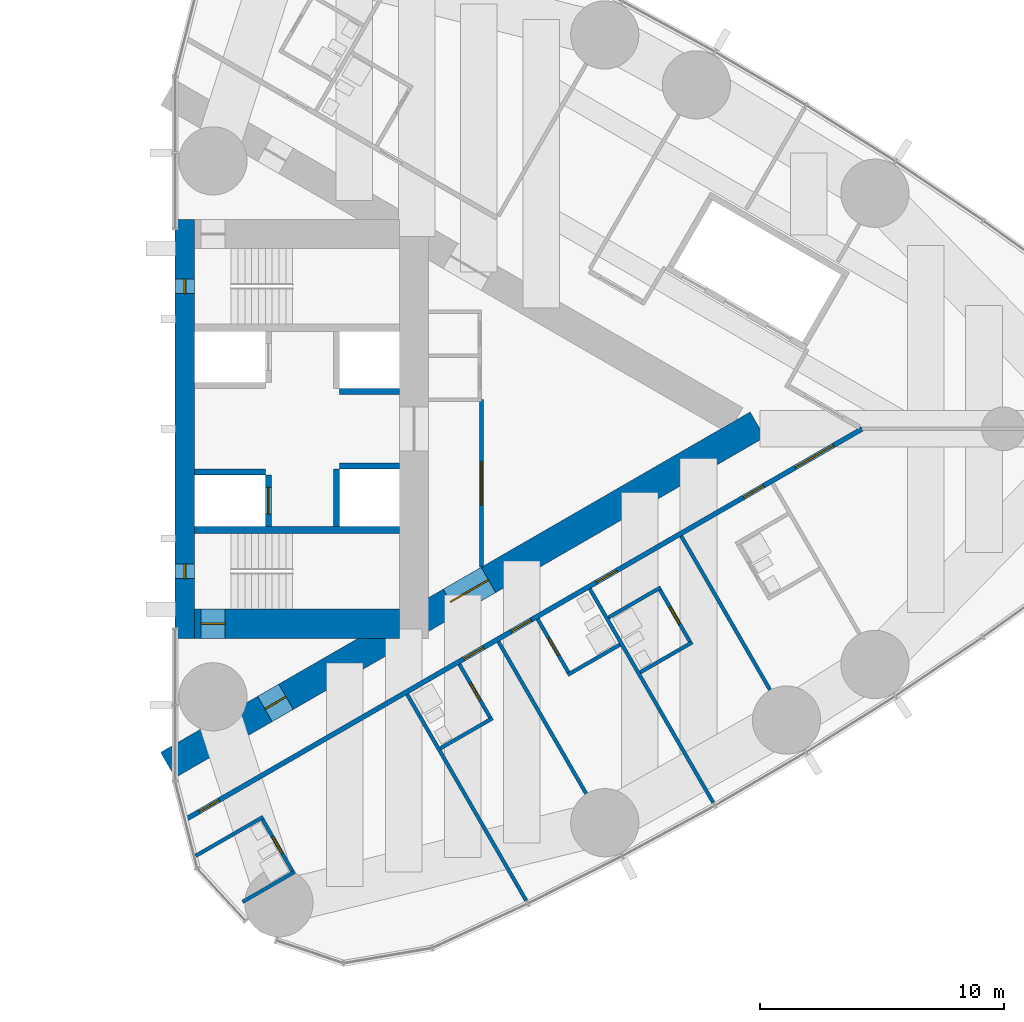
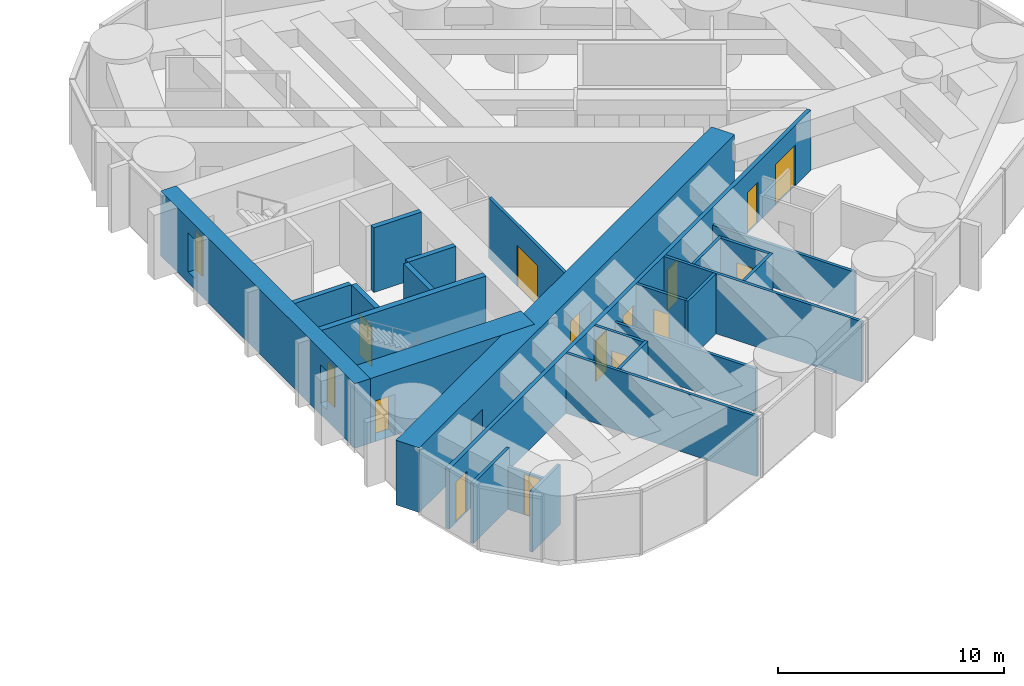
# One storey, part 14 of 19: 25 walls, 15 doors, 2 windows, 17 openings.
"""IFC4 building model written with IfcOpenShell, lengths in metres."""

from ifc_helpers import new_model, si_unit, direction, frame, frame_2d, origin, place, context, subcontext, project, spatial, rectangle, extrude, material, layer, layer_set, type_object, element, fill, save


model = new_model("IFC4")

# Units and contexts
model_context = context("Model", 3, precision=1e-05, world=origin(), true_north=direction((0.0, 1.0)))
body_context = subcontext(model_context, "Body", "Model", "MODEL_VIEW")
ifc_project = project(units=[si_unit("LENGTHUNIT", "METRE"), si_unit("AREAUNIT", "SQUARE_METRE"), si_unit("VOLUMEUNIT", "CUBIC_METRE"), si_unit("PLANEANGLEUNIT", "RADIAN"), si_unit("MASSUNIT", "GRAM", prefix="KILO")], contexts=[model_context])

# Site, building, storey
site_placement = place(None, origin())
site = spatial("IfcSite", under=ifc_project, at=site_placement, CompositionType="ELEMENT")
building_placement = place(site_placement, origin())
building = spatial("IfcBuilding", under=site, at=building_placement, Name="Lancet Gate Hotel", CompositionType="ELEMENT")
storey_placement = place(building_placement, frame((0.0, 0.0, 191.300048828125)))
storey = spatial("IfcBuildingStorey", under=building, at=storey_placement, Name="L51", CompositionType="ELEMENT", Elevation=191.300048828125)

# Wall
ifc_material_1 = material(Name="Moisture resistant board partition")
ifc_layer_1 = layer(ifc_material_1, 0.14990234375)
ifc_layer_set_1 = layer_set([ifc_layer_1], Name="Bathroom wall 150")
wall_type_1 = type_object("IfcWallType", Name="Bathroom wall 150", PredefinedType="PARTITIONING", material=ifc_layer_set_1)
wall_1_placement = place(storey_placement, frame((30.269287109375, -19.41796875, 0.0), z_axis=(0.0, 0.0, 1.0), x_axis=(0.866006523861, 0.500032699561, 0.0)))
element("IfcWall", 1, at=wall_1_placement, inside=storey, type_object=wall_type_1, Name="T2 bathroom wall 150 L51", PredefinedType="PARTITIONING", context=body_context, shape_type="SweptSolid", body=[
    extrude(rectangle(XDim=2.474853515625, YDim=0.14990234375, at=frame_2d((1.2373046875, 0.0))), origin(), (0.0, 0.0, 1.0), 3.25),
])

# Wall, opening, door
wall_2_placement = place(storey_placement, frame((31.0478515625, -15.96630859375, 0.0), z_axis=(0.0, 0.0, 1.0), x_axis=(0.499936506574, -0.866062058628, 0.0)))
wall_2 = element("IfcWall", 2, at=wall_2_placement, inside=storey, type_object=wall_type_1, Name="T2 bathroom wall 150 L51", PredefinedType="PARTITIONING", context=body_context, shape_type="SweptSolid", body=[
    extrude(rectangle(XDim=2.599853515625, YDim=0.14990234375, at=frame_2d((1.2998046875, 0.0))), origin(), (0.0, 0.0, 1.0), 2.300048828125),
])
opening_1_placement = place(wall_2_placement, frame((0.89990234375, 0.0, 0.0)))
opening_1 = element("IfcOpeningElement", 3, at=opening_1_placement, cuts=wall_2, Name="Opening 5151-B", PredefinedType="OPENING", context=body_context, shape_type="SweptSolid", body=[
    extrude(rectangle(XDim=0.800048828125, YDim=2.199951171875, at=frame_2d((0.39990234375, 1.10009765625))), frame((0.0, 0.0849609375, 0.0), z_axis=(0.0, -1.0, 0.0), x_axis=(1.0, 0.0, 0.0)), (0.0, 0.0, 1.0), 0.169921875),
])
ifc_material_2 = material(Name="Timber door set", Category="wood")
door_type_1 = type_object("IfcDoorType", Name="Bathroom door 800", OperationType="SINGLE_SWING_RIGHT", PredefinedType="DOOR", material=ifc_material_2)
door_1_placement = place(opening_1_placement, origin())
door_1 = element("IfcDoor", 4, at=door_1_placement, inside=storey, type_object=door_type_1, Name="5151-B", OperationType="SINGLE_SWING_RIGHT", OverallHeight=2.199951171875, OverallWidth=0.800048828125, PredefinedType="DOOR", context=body_context, shape_type="SweptSolid", body=[
    extrude(rectangle(XDim=0.800048828125, YDim=2.199951171875, at=frame_2d((0.39990234375, 1.10009765625))), frame((0.0, 0.02490234375, 0.0), z_axis=(0.0, -1.0, 0.0), x_axis=(1.0, 0.0, 0.0)), (0.0, 0.0, 1.0), 0.050048828125),
])
fill(opening_1, door_1)

# Walls
wall_3_placement = place(storey_placement, frame((28.34326171875, -17.52783203125, 0.0), z_axis=(0.0, 0.0, 1.0), x_axis=(0.86600760081, 0.500030834389, 0.0)))
element("IfcWall", 5, at=wall_3_placement, inside=storey, type_object=wall_type_1, Name="T2 bathroom wall 150 L51", PredefinedType="PARTITIONING", context=body_context, shape_type="SweptSolid", body=[
    extrude(rectangle(XDim=3.197998046875, YDim=0.14990234375, at=frame_2d((1.59912109375, 0.0))), origin(), (0.0, 0.0, 1.0), 3.25),
])
wall_4_placement = place(storey_placement, frame((38.386962890625, -13.114501953125, 0.0), z_axis=(0.0, 0.0, 1.0), x_axis=(0.866073894602, 0.499916002032, 0.0)))
element("IfcWall", 6, at=wall_4_placement, inside=storey, type_object=wall_type_1, Name="T2 bathroom wall 150 L51", PredefinedType="PARTITIONING", context=body_context, shape_type="SweptSolid", body=[
    extrude(rectangle(XDim=2.47509765625, YDim=0.14990234375, at=frame_2d((1.237548828125, 0.0))), origin(), (0.0, 0.0, 1.0), 3.25),
])

# Wall, opening, door
wall_5_placement = place(storey_placement, frame((39.16552734375, -9.662841796875, 0.0), z_axis=(0.0, 0.0, 1.0), x_axis=(0.500006934395, -0.866021400173, 0.0)))
wall_5 = element("IfcWall", 7, at=wall_5_placement, inside=storey, type_object=wall_type_1, Name="T2 bathroom wall 150 L51", PredefinedType="PARTITIONING", context=body_context, shape_type="SweptSolid", body=[
    extrude(rectangle(XDim=2.60009765625, YDim=0.14990234375, at=frame_2d((1.300048828125, 0.0))), origin(), (0.0, 0.0, 1.0), 3.25),
])
opening_2_placement = place(wall_5_placement, frame((0.89990234375, 0.0, 0.0)))
opening_2 = element("IfcOpeningElement", 8, at=opening_2_placement, cuts=wall_5, Name="Opening 5153-B", PredefinedType="OPENING", context=body_context, shape_type="SweptSolid", body=[
    extrude(rectangle(XDim=0.800048828125, YDim=2.199951171875, at=frame_2d((0.39990234375, 1.10009765625))), frame((0.0, 0.0849609375, 0.0), z_axis=(0.0, -1.0, 0.0), x_axis=(1.0, 0.0, 0.0)), (0.0, 0.0, 1.0), 0.169921875),
])
door_2_placement = place(opening_2_placement, origin())
door_2 = element("IfcDoor", 9, at=door_2_placement, inside=storey, type_object=door_type_1, Name="5153-B", OperationType="SINGLE_SWING_RIGHT", OverallHeight=2.199951171875, OverallWidth=0.800048828125, PredefinedType="DOOR", context=body_context, shape_type="SweptSolid", body=[
    extrude(rectangle(XDim=0.800048828125, YDim=2.199951171875, at=frame_2d((0.39990234375, 1.10009765625))), frame((0.0, 0.02490234375, 0.0), z_axis=(0.0, -1.0, 0.0), x_axis=(1.0, 0.0, 0.0)), (0.0, 0.0, 1.0), 0.050048828125),
])
fill(opening_2, door_2)

# Wall
wall_6_placement = place(storey_placement, frame((43.613037109375, -10.097412109375, 0.0), z_axis=(0.0, 0.0, 1.0), x_axis=(0.866031185235, 0.4999899861, 0.0)))
element("IfcWall", 10, at=wall_6_placement, inside=storey, type_object=wall_type_1, Name="T2 bathroom wall 150 L51", PredefinedType="PARTITIONING", context=body_context, shape_type="SweptSolid", body=[
    extrude(rectangle(XDim=2.47509765625, YDim=0.14990234375, at=frame_2d((1.237548828125, 0.0))), origin(), (0.0, 0.0, 1.0), 3.25),
])

# Wall, opening, door
wall_7_placement = place(storey_placement, frame((42.3779296875, -7.80810546875, 0.0), z_axis=(0.0, 0.0, 1.0), x_axis=(0.500006934395, -0.866021400173, 0.0)))
wall_7 = element("IfcWall", 11, at=wall_7_placement, inside=storey, type_object=wall_type_1, Name="T2 bathroom wall 150 L51", PredefinedType="PARTITIONING", context=body_context, shape_type="SweptSolid", body=[
    extrude(rectangle(XDim=2.60009765625, YDim=0.14990234375, at=frame_2d((1.300048828125, 0.0))), origin(), (0.0, 0.0, 1.0), 3.25),
])
opening_3_placement = place(wall_7_placement, frame((0.89990234375, 0.0, 0.0)))
opening_3 = element("IfcOpeningElement", 12, at=opening_3_placement, cuts=wall_7, Name="Opening 5154-B", PredefinedType="OPENING", context=body_context, shape_type="SweptSolid", body=[
    extrude(rectangle(XDim=0.800048828125, YDim=2.199951171875, at=frame_2d((0.39990234375, 1.10009765625))), frame((0.0, 0.0849609375, 0.0), z_axis=(0.0, -1.0, 0.0), x_axis=(1.0, 0.0, 0.0)), (0.0, 0.0, 1.0), 0.169921875),
])
door_3_placement = place(opening_3_placement, origin())
door_3 = element("IfcDoor", 13, at=door_3_placement, inside=storey, type_object=door_type_1, Name="5154-B", OperationType="SINGLE_SWING_RIGHT", OverallHeight=2.199951171875, OverallWidth=0.800048828125, PredefinedType="DOOR", context=body_context, shape_type="SweptSolid", body=[
    extrude(rectangle(XDim=0.800048828125, YDim=2.199951171875, at=frame_2d((0.39990234375, 1.10009765625))), frame((0.0, 0.02490234375, 0.0), z_axis=(0.0, -1.0, 0.0), x_axis=(1.0, 0.0, 0.0)), (0.0, 0.0, 1.0), 0.050048828125),
])
fill(opening_3, door_3)

# Wall
wall_8_placement = place(storey_placement, frame((46.58642578125, -9.997314453125, 0.0), z_axis=(0.0, 0.0, 1.0), x_axis=(0.866006523861, 0.500032699561, 0.0)))
element("IfcWall", 14, at=wall_8_placement, inside=storey, type_object=wall_type_1, Name="T2 bathroom wall 150 L51", PredefinedType="PARTITIONING", context=body_context, shape_type="SweptSolid", body=[
    extrude(rectangle(XDim=2.474853515625, YDim=0.14990234375, at=frame_2d((1.2373046875, 0.0))), origin(), (0.0, 0.0, 1.0), 3.25),
])

# Wall, opening, door
wall_9_placement = place(storey_placement, frame((47.36474609375, -6.545654296875, 0.0), z_axis=(0.0, 0.0, 1.0), x_axis=(0.500006934395, -0.866021400173, 0.0)))
wall_9 = element("IfcWall", 15, at=wall_9_placement, inside=storey, type_object=wall_type_1, Name="T2 bathroom wall 150 L51", PredefinedType="PARTITIONING", context=body_context, shape_type="SweptSolid", body=[
    extrude(rectangle(XDim=2.60009765625, YDim=0.14990234375, at=frame_2d((1.300048828125, 0.0))), origin(), (0.0, 0.0, 1.0), 3.25),
])
opening_4_placement = place(wall_9_placement, frame((0.89990234375, 0.0, 0.0)))
opening_4 = element("IfcOpeningElement", 16, at=opening_4_placement, cuts=wall_9, Name="Opening 5155-B", PredefinedType="OPENING", context=body_context, shape_type="SweptSolid", body=[
    extrude(rectangle(XDim=0.800048828125, YDim=2.199951171875, at=frame_2d((0.39990234375, 1.10009765625))), frame((0.0, 0.0849609375, 0.0), z_axis=(0.0, -1.0, 0.0), x_axis=(1.0, 0.0, 0.0)), (0.0, 0.0, 1.0), 0.169921875),
])
door_4_placement = place(opening_4_placement, origin())
door_4 = element("IfcDoor", 17, at=door_4_placement, inside=storey, type_object=door_type_1, Name="5155-B", OperationType="SINGLE_SWING_RIGHT", OverallHeight=2.199951171875, OverallWidth=0.800048828125, PredefinedType="DOOR", context=body_context, shape_type="SweptSolid", body=[
    extrude(rectangle(XDim=0.800048828125, YDim=2.199951171875, at=frame_2d((0.39990234375, 1.10009765625))), frame((0.0, 0.02490234375, 0.0), z_axis=(0.0, -1.0, 0.0), x_axis=(1.0, 0.0, 0.0)), (0.0, 0.0, 1.0), 0.050048828125),
])
fill(opening_4, door_4)

# Wall
wall_10_placement = place(storey_placement, frame((45.286376953125, -7.74560546875, 0.0), z_axis=(0.0, 0.0, 1.0), x_axis=(0.866006523861, 0.500032699561, 0.0)))
element("IfcWall", 18, at=wall_10_placement, inside=storey, type_object=wall_type_1, Name="T2 bathroom wall 150 L51", PredefinedType="PARTITIONING", context=body_context, shape_type="SweptSolid", body=[
    extrude(rectangle(XDim=2.474853515625, YDim=0.14990234375, at=frame_2d((1.2373046875, 0.0))), origin(), (0.0, 0.0, 1.0), 3.25),
])

# Wall, openings, doors
ifc_material_3 = material(Name="Concrete C70/85", Category="concrete")
ifc_layer_2 = layer(ifc_material_3, 1.199951171875)
ifc_layer_set_2 = layer_set([ifc_layer_2], Name="Buttress wall 1200")
wall_type_2 = type_object("IfcWallType", Name="Buttress wall 1200", PredefinedType="SHEAR", material=ifc_layer_set_2)
wall_11_placement = place(storey_placement, frame((27.199951171875, -13.800048828125, 0.0), z_axis=(0.0, 0.0, 1.0), x_axis=(0.866027159892, 0.499996958321, 0.0)))
wall_11 = element("IfcWall", 19, at=wall_11_placement, inside=storey, type_object=wall_type_2, Name="T2 buttress wall S L51", PredefinedType="SHEAR", context=body_context, shape_type="SweptSolid", body=[
    extrude(rectangle(XDim=27.946533203125, YDim=1.199951171875, at=frame_2d((13.97314453125, 0.0))), origin(), (0.0, 0.0, 1.0), 3.5),
])
opening_5_placement = place(wall_11_placement, frame((4.60009765625, 0.0, 0.0)))
opening_5 = element("IfcOpeningElement", 20, at=opening_5_placement, cuts=wall_11, Name="Opening T2-L51-LS", PredefinedType="OPENING", context=body_context, shape_type="SweptSolid", body=[
    extrude(rectangle(XDim=1.0, YDim=2.199951171875, at=frame_2d((0.5, 1.10009765625))), frame((0.0, 0.60986328125, 0.0), z_axis=(0.0, -1.0, 0.0), x_axis=(1.0, 0.0, 0.0)), (0.0, 0.0, 1.0), 1.219970703125),
])
opening_6_placement = place(wall_11_placement, frame((13.39453125, 0.0, 0.0)))
opening_6 = element("IfcOpeningElement", 21, at=opening_6_placement, cuts=wall_11, Name="Opening T2-L51-LHS", PredefinedType="OPENING", context=body_context, shape_type="SweptSolid", body=[
    extrude(rectangle(XDim=1.800048828125, YDim=2.199951171875, at=frame_2d((0.89990234375, 1.10009765625))), frame((0.0, 0.60986328125, 0.0), z_axis=(0.0, -1.0, 0.0), x_axis=(1.0, 0.0, 0.0)), (0.0, 0.0, 1.0), 1.219970703125),
])
ifc_material_4 = material(Name="Timber door set", Category="wood")
door_type_2 = type_object("IfcDoorType", Name="Lobby double door 1800", OperationType="DOUBLE_DOOR_SINGLE_SWING", PredefinedType="DOOR", material=ifc_material_4)
door_5_placement = place(opening_6_placement, origin())
door_5 = element("IfcDoor", 22, at=door_5_placement, inside=storey, type_object=door_type_2, Name="T2-L51-LHS", OperationType="DOUBLE_DOOR_SINGLE_SWING", OverallHeight=2.199951171875, OverallWidth=1.800048828125, PredefinedType="DOOR", context=body_context, shape_type="SweptSolid", body=[
    extrude(rectangle(XDim=1.800048828125, YDim=2.199951171875, at=frame_2d((0.89990234375, 1.10009765625))), frame((0.0, 0.02490234375, 0.0), z_axis=(0.0, -1.0, 0.0), x_axis=(1.0, 0.0, 0.0)), (0.0, 0.0, 1.0), 0.050048828125),
])
fill(opening_6, door_5)
ifc_material_5 = material(Name="Timber door set", Category="wood")
door_type_3 = type_object("IfcDoorType", Name="Stair lobby door 1000", OperationType="SINGLE_SWING_LEFT", PredefinedType="DOOR", material=ifc_material_5)
door_6_placement = place(opening_5_placement, origin())
door_6 = element("IfcDoor", 23, at=door_6_placement, inside=storey, type_object=door_type_3, Name="T2-L51-LS", OperationType="SINGLE_SWING_LEFT", OverallHeight=2.199951171875, OverallWidth=1.0, PredefinedType="DOOR", context=body_context, shape_type="SweptSolid", body=[
    extrude(rectangle(XDim=1.0, YDim=2.199951171875, at=frame_2d((0.5, 1.10009765625))), frame((0.0, 0.02490234375, 0.0), z_axis=(0.0, -1.0, 0.0), x_axis=(1.0, 0.0, 0.0)), (0.0, 0.0, 1.0), 0.050048828125),
])
fill(opening_5, door_6)

# Wall, opening, door
ifc_material_6 = material(Name="Concrete C70/85", Category="concrete")
ifc_layer_3 = layer(ifc_material_6, 1.199951171875)
ifc_layer_set_3 = layer_set([ifc_layer_3], Name="Core wall 1200")
wall_type_3 = type_object("IfcWallType", Name="Core wall 1200", PredefinedType="SHEAR", material=ifc_layer_set_3)
wall_12_placement = place(storey_placement, frame((28.300048828125, -8.0, 0.0), z_axis=(0.0, 0.0, 1.0), x_axis=(1.0, 0.0, 0.0)))
wall_12 = element("IfcWall", 24, at=wall_12_placement, inside=storey, type_object=wall_type_3, Name="T2 core wall side-S L51", PredefinedType="SHEAR", context=body_context, shape_type="SweptSolid", body=[
    extrude(rectangle(XDim=8.39990234375, YDim=1.199951171875, at=frame_2d((4.199951171875, 0.0))), origin(), (0.0, 0.0, 1.0), 3.5),
])
opening_7_placement = place(wall_12_placement, frame((0.25, 0.0, 0.0)))
opening_7 = element("IfcOpeningElement", 25, at=opening_7_placement, cuts=wall_12, Name="Opening T2-L51-ST1", PredefinedType="OPENING", context=body_context, shape_type="SweptSolid", body=[
    extrude(rectangle(XDim=1.0, YDim=2.199951171875, at=frame_2d((0.5, 1.10009765625))), frame((0.0, 0.60986328125, 0.0), z_axis=(0.0, -1.0, 0.0), x_axis=(1.0, 0.0, 0.0)), (0.0, 0.0, 1.0), 1.219970703125),
])
ifc_material_7 = material(Name="Timber door set", Category="wood")
door_type_4 = type_object("IfcDoorType", Name="Stair door 1000", OperationType="SINGLE_SWING_RIGHT", PredefinedType="DOOR", material=ifc_material_7)
door_7_placement = place(opening_7_placement, origin())
door_7 = element("IfcDoor", 26, at=door_7_placement, inside=storey, type_object=door_type_4, Name="T2-L51-ST1", OperationType="SINGLE_SWING_RIGHT", OverallHeight=2.199951171875, OverallWidth=1.0, PredefinedType="DOOR", context=body_context, shape_type="SweptSolid", body=[
    extrude(rectangle(XDim=1.0, YDim=2.199951171875, at=frame_2d((0.5, 1.10009765625))), frame((0.0, 0.02490234375, 0.0), z_axis=(0.0, -1.0, 0.0), x_axis=(1.0, 0.0, 0.0)), (0.0, 0.0, 1.0), 0.050048828125),
])
fill(opening_7, door_7)

# Wall, openings, windows
ifc_material_8 = material(Name="Concrete C70/85", Category="concrete")
ifc_layer_4 = layer(ifc_material_8, 0.800048828125)
ifc_layer_set_4 = layer_set([ifc_layer_4], Name="Core wall 800")
wall_type_4 = type_object("IfcWallType", Name="Core wall 800", PredefinedType="SHEAR", material=ifc_layer_set_4)
wall_13_placement = place(storey_placement, frame((27.89990234375, -8.60009765625, 0.0), z_axis=(0.0, 0.0, 1.0), x_axis=(0.0, 1.0, 0.0)))
wall_13 = element("IfcWall", 27, at=wall_13_placement, inside=storey, type_object=wall_type_4, Name="T2 core wall front L51", PredefinedType="SHEAR", context=body_context, shape_type="SweptSolid", body=[
    extrude(rectangle(XDim=17.2001953125, YDim=0.800048828125, at=frame_2d((8.60009765625, 0.0))), origin(), (0.0, 0.0, 1.0), 3.5),
])
opening_8_placement = place(wall_13_placement, frame((2.449951171875, 0.0, 0.60009765625)))
opening_8 = element("IfcOpeningElement", 28, at=opening_8_placement, cuts=wall_13, Name="Opening LW1", PredefinedType="OPENING", context=body_context, shape_type="SweptSolid", body=[
    extrude(rectangle(XDim=0.60009765625, YDim=2.10009765625, at=frame_2d((0.300048828125, 1.050048828125))), frame((0.0, 0.409912109375, 0.0), z_axis=(0.0, -1.0, 0.0), x_axis=(1.0, 0.0, 0.0)), (0.0, 0.0, 1.0), 0.820068359375),
])
opening_9_placement = place(wall_13_placement, frame((14.14990234375, 0.0, 0.60009765625)))
opening_9 = element("IfcOpeningElement", 29, at=opening_9_placement, cuts=wall_13, Name="Opening LW1", PredefinedType="OPENING", context=body_context, shape_type="SweptSolid", body=[
    extrude(rectangle(XDim=0.60009765625, YDim=2.10009765625, at=frame_2d((0.300048828125, 1.050048828125))), frame((0.0, 0.409912109375, 0.0), z_axis=(0.0, -1.0, 0.0), x_axis=(1.0, 0.0, 0.0)), (0.0, 0.0, 1.0), 0.820068359375),
])
ifc_material_9 = material(Name="Fire-resisting glazed steel window", Category="steel")
window_type = type_object("IfcWindowType", Name="Lancet window 600x2100", PartitioningType="SINGLE_PANEL", PredefinedType="WINDOW", material=ifc_material_9)
window_1_placement = place(opening_8_placement, origin())
window_1 = element("IfcWindow", 30, at=window_1_placement, inside=storey, type_object=window_type, Name="T2 stair window S L51", OverallHeight=2.10009765625, OverallWidth=0.60009765625, PartitioningType="SINGLE_PANEL", PredefinedType="WINDOW", context=body_context, shape_type="SweptSolid", body=[
    extrude(rectangle(XDim=0.60009765625, YDim=2.10009765625, at=frame_2d((0.300048828125, 1.050048828125))), frame((0.0, 0.030029296875, 0.0), z_axis=(0.0, -1.0, 0.0), x_axis=(1.0, 0.0, 0.0)), (0.0, 0.0, 1.0), 0.06005859375),
])
fill(opening_8, window_1)
window_2_placement = place(opening_9_placement, origin())
window_2 = element("IfcWindow", 31, at=window_2_placement, inside=storey, type_object=window_type, Name="T2 stair window N L51", OverallHeight=2.10009765625, OverallWidth=0.60009765625, PartitioningType="SINGLE_PANEL", PredefinedType="WINDOW", context=body_context, shape_type="SweptSolid", body=[
    extrude(rectangle(XDim=0.60009765625, YDim=2.10009765625, at=frame_2d((0.300048828125, 1.050048828125))), frame((0.0, 0.030029296875, 0.0), z_axis=(0.0, -1.0, 0.0), x_axis=(1.0, 0.0, 0.0)), (0.0, 0.0, 1.0), 0.06005859375),
])
fill(opening_9, window_2)

# Wall, openings, doors
ifc_material_10 = material(Name="Gypsum board partition")
ifc_layer_5 = layer(ifc_material_10, 0.199951171875)
ifc_layer_set_5 = layer_set([ifc_layer_5], Name="Corridor wall 200")
wall_type_5 = type_object("IfcWallType", Name="Corridor wall 200", PredefinedType="PARTITIONING", material=ifc_layer_set_5)
wall_14_placement = place(storey_placement, frame((27.95947265625, -16.017333984375, 0.0), z_axis=(0.0, 0.0, 1.0), x_axis=(0.866024151371, 0.500002169237, 0.0)))
wall_14 = element("IfcWall", 32, at=wall_14_placement, inside=storey, type_object=wall_type_5, Name="T2 corridor wall 200 L51", PredefinedType="PARTITIONING", context=body_context, shape_type="SweptSolid", body=[
    extrude(rectangle(XDim=32.034423828125, YDim=0.199951171875, at=frame_2d((16.01708984375, 0.0))), origin(), (0.0, 0.0, 1.0), 3.25),
])
opening_10_placement = place(wall_14_placement, frame((0.60009765625, 0.0, 0.0)))
opening_10 = element("IfcOpeningElement", 33, at=opening_10_placement, cuts=wall_14, Name="Opening 5151-E", PredefinedType="OPENING", context=body_context, shape_type="SweptSolid", body=[
    extrude(rectangle(XDim=0.949951171875, YDim=2.199951171875, at=frame_2d((0.47509765625, 1.10009765625))), frame((0.0, 0.10986328125, 0.0), z_axis=(0.0, -1.0, 0.0), x_axis=(1.0, 0.0, 0.0)), (0.0, 0.0, 1.0), 0.219970703125),
])
opening_11_placement = place(wall_14_placement, frame((13.1318359375, 0.0, 0.0)))
opening_11 = element("IfcOpeningElement", 34, at=opening_11_placement, cuts=wall_14, Name="Opening 5153-E", PredefinedType="OPENING", context=body_context, shape_type="SweptSolid", body=[
    extrude(rectangle(XDim=0.949951171875, YDim=2.199951171875, at=frame_2d((0.47509765625, 1.10009765625))), frame((0.0, 0.10986328125, 0.0), z_axis=(0.0, -1.0, 0.0), x_axis=(1.0, 0.0, 0.0)), (0.0, 0.0, 1.0), 0.219970703125),
])
opening_12_placement = place(wall_14_placement, frame((15.391357421875, 0.0, 0.0)))
opening_12 = element("IfcOpeningElement", 35, at=opening_12_placement, cuts=wall_14, Name="Opening 5154-E", PredefinedType="OPENING", context=body_context, shape_type="SweptSolid", body=[
    extrude(rectangle(XDim=0.949951171875, YDim=2.199951171875, at=frame_2d((0.47509765625, 1.10009765625))), frame((0.0, 0.10986328125, 0.0), z_axis=(0.0, -1.0, 0.0), x_axis=(1.0, 0.0, 0.0)), (0.0, 0.0, 1.0), 0.219970703125),
])
opening_13_placement = place(wall_14_placement, frame((19.44140625, 0.0, 0.0)))
opening_13 = element("IfcOpeningElement", 36, at=opening_13_placement, cuts=wall_14, Name="Opening 5155-E", PredefinedType="OPENING", context=body_context, shape_type="SweptSolid", body=[
    extrude(rectangle(XDim=0.949951171875, YDim=2.199951171875, at=frame_2d((0.47509765625, 1.10009765625))), frame((0.0, 0.10986328125, 0.0), z_axis=(0.0, -1.0, 0.0), x_axis=(1.0, 0.0, 0.0)), (0.0, 0.0, 1.0), 0.219970703125),
])
opening_14_placement = place(wall_14_placement, frame((26.406005859375, 0.0, 0.0)))
opening_14 = element("IfcOpeningElement", 37, at=opening_14_placement, cuts=wall_14, Name="Opening 5156-E", PredefinedType="OPENING", context=body_context, shape_type="SweptSolid", body=[
    extrude(rectangle(XDim=0.949951171875, YDim=2.199951171875, at=frame_2d((0.47509765625, 1.10009765625))), frame((0.0, 0.10986328125, 0.0), z_axis=(0.0, -1.0, 0.0), x_axis=(1.0, 0.0, 0.0)), (0.0, 0.0, 1.0), 0.219970703125),
])
opening_15_placement = place(wall_14_placement, frame((28.870361328125, 0.0, 0.0)))
opening_15 = element("IfcOpeningElement", 38, at=opening_15_placement, cuts=wall_14, Name="Opening 5157-E", PredefinedType="OPENING", context=body_context, shape_type="SweptSolid", body=[
    extrude(rectangle(XDim=1.800048828125, YDim=2.199951171875, at=frame_2d((0.89990234375, 1.10009765625))), frame((0.0, 0.10986328125, 0.0), z_axis=(0.0, -1.0, 0.0), x_axis=(1.0, 0.0, 0.0)), (0.0, 0.0, 1.0), 0.219970703125),
])
ifc_material_11 = material(Name="Timber door set", Category="wood")
door_type_5 = type_object("IfcDoorType", Name="Double door 1800", OperationType="DOUBLE_DOOR_SINGLE_SWING", PredefinedType="DOOR", material=ifc_material_11)
door_8_placement = place(opening_15_placement, origin())
door_8 = element("IfcDoor", 39, at=door_8_placement, inside=storey, type_object=door_type_5, Name="5157-E", OperationType="DOUBLE_DOOR_SINGLE_SWING", OverallHeight=2.199951171875, OverallWidth=1.800048828125, PredefinedType="DOOR", context=body_context, shape_type="SweptSolid", body=[
    extrude(rectangle(XDim=1.800048828125, YDim=2.199951171875, at=frame_2d((0.89990234375, 1.10009765625))), frame((0.0, 0.02490234375, 0.0), z_axis=(0.0, -1.0, 0.0), x_axis=(1.0, 0.0, 0.0)), (0.0, 0.0, 1.0), 0.050048828125),
])
fill(opening_15, door_8)
ifc_material_12 = material(Name="Timber door set", Category="wood")
door_type_6 = type_object("IfcDoorType", Name="Guest room entry door 950", OperationType="SINGLE_SWING_LEFT", PredefinedType="DOOR", material=ifc_material_12)
door_9_placement = place(opening_10_placement, origin())
door_9 = element("IfcDoor", 40, at=door_9_placement, inside=storey, type_object=door_type_6, Name="5151-E", OperationType="SINGLE_SWING_LEFT", OverallHeight=2.199951171875, OverallWidth=0.949951171875, PredefinedType="DOOR", context=body_context, shape_type="SweptSolid", body=[
    extrude(rectangle(XDim=0.949951171875, YDim=2.199951171875, at=frame_2d((0.47509765625, 1.10009765625))), frame((0.0, 0.02490234375, 0.0), z_axis=(0.0, -1.0, 0.0), x_axis=(1.0, 0.0, 0.0)), (0.0, 0.0, 1.0), 0.050048828125),
])
fill(opening_10, door_9)
door_10_placement = place(opening_11_placement, origin())
door_10 = element("IfcDoor", 41, at=door_10_placement, inside=storey, type_object=door_type_6, Name="5153-E", OperationType="SINGLE_SWING_LEFT", OverallHeight=2.199951171875, OverallWidth=0.949951171875, PredefinedType="DOOR", context=body_context, shape_type="SweptSolid", body=[
    extrude(rectangle(XDim=0.949951171875, YDim=2.199951171875, at=frame_2d((0.47509765625, 1.10009765625))), frame((0.0, 0.02490234375, 0.0), z_axis=(0.0, -1.0, 0.0), x_axis=(1.0, 0.0, 0.0)), (0.0, 0.0, 1.0), 0.050048828125),
])
fill(opening_11, door_10)
door_11_placement = place(opening_12_placement, origin())
door_11 = element("IfcDoor", 42, at=door_11_placement, inside=storey, type_object=door_type_6, Name="5154-E", OperationType="SINGLE_SWING_LEFT", OverallHeight=2.199951171875, OverallWidth=0.949951171875, PredefinedType="DOOR", context=body_context, shape_type="SweptSolid", body=[
    extrude(rectangle(XDim=0.949951171875, YDim=2.199951171875, at=frame_2d((0.47509765625, 1.10009765625))), frame((0.0, 0.02490234375, 0.0), z_axis=(0.0, -1.0, 0.0), x_axis=(1.0, 0.0, 0.0)), (0.0, 0.0, 1.0), 0.050048828125),
])
fill(opening_12, door_11)
door_12_placement = place(opening_13_placement, origin())
door_12 = element("IfcDoor", 43, at=door_12_placement, inside=storey, type_object=door_type_6, Name="5155-E", OperationType="SINGLE_SWING_LEFT", OverallHeight=2.199951171875, OverallWidth=0.949951171875, PredefinedType="DOOR", context=body_context, shape_type="SweptSolid", body=[
    extrude(rectangle(XDim=0.949951171875, YDim=2.199951171875, at=frame_2d((0.47509765625, 1.10009765625))), frame((0.0, 0.02490234375, 0.0), z_axis=(0.0, -1.0, 0.0), x_axis=(1.0, 0.0, 0.0)), (0.0, 0.0, 1.0), 0.050048828125),
])
fill(opening_13, door_12)
door_13_placement = place(opening_14_placement, origin())
door_13 = element("IfcDoor", 44, at=door_13_placement, inside=storey, type_object=door_type_6, Name="5156-E", OperationType="SINGLE_SWING_LEFT", OverallHeight=2.199951171875, OverallWidth=0.949951171875, PredefinedType="DOOR", context=body_context, shape_type="SweptSolid", body=[
    extrude(rectangle(XDim=0.949951171875, YDim=2.199951171875, at=frame_2d((0.47509765625, 1.10009765625))), frame((0.0, 0.02490234375, 0.0), z_axis=(0.0, -1.0, 0.0), x_axis=(1.0, 0.0, 0.0)), (0.0, 0.0, 1.0), 0.050048828125),
])
fill(opening_14, door_13)

# Wall, opening, door
ifc_material_13 = material(Name="Concrete C50/60", Category="concrete")
ifc_layer_6 = layer(ifc_material_13, 0.25)
ifc_layer_set_6 = layer_set([ifc_layer_6], Name="Lift shaft wall 250")
wall_type_6 = type_object("IfcWallType", Name="Lift shaft wall 250", PredefinedType="SHEAR", material=ifc_layer_set_6)
wall_15_placement = place(storey_placement, frame((31.324951171875, -4.0, 0.0), z_axis=(0.0, 0.0, 1.0), x_axis=(0.0, 1.0, 0.0)))
wall_15 = element("IfcWall", 45, at=wall_15_placement, inside=storey, type_object=wall_type_6, Name="T2 core wall row1-S L51", PredefinedType="SHEAR", context=body_context, shape_type="SweptSolid", body=[
    extrude(rectangle(XDim=2.10009765625, YDim=0.25, at=frame_2d((1.050048828125, 0.0))), origin(), (0.0, 0.0, 1.0), 3.5),
])
opening_16_placement = place(wall_15_placement, frame((0.5, 0.0, 0.0)))
opening_16 = element("IfcOpeningElement", 46, at=opening_16_placement, cuts=wall_15, Name="Opening T2-SL1-L51", PredefinedType="OPENING", context=body_context, shape_type="SweptSolid", body=[
    extrude(rectangle(XDim=1.10009765625, YDim=2.199951171875, at=frame_2d((0.550048828125, 1.10009765625))), frame((0.0, 0.135009765625, 0.0), z_axis=(0.0, -1.0, 0.0), x_axis=(1.0, 0.0, 0.0)), (0.0, 0.0, 1.0), 0.27001953125),
])
ifc_material_14 = material(Name="Timber door set", Category="wood")
door_type_7 = type_object("IfcDoorType", Name="Service lift landing door 1100", OperationType="SLIDING_TO_LEFT", PredefinedType="USERDEFINED", material=ifc_material_14)
door_14_placement = place(opening_16_placement, origin())
door_14 = element("IfcDoor", 47, at=door_14_placement, inside=storey, type_object=door_type_7, Name="T2-SL1-L51", ObjectType="LIFT LANDING DOOR", OperationType="SLIDING_TO_LEFT", OverallHeight=2.199951171875, OverallWidth=1.10009765625, PredefinedType="USERDEFINED", context=body_context, shape_type="SweptSolid", body=[
    extrude(rectangle(XDim=1.10009765625, YDim=2.199951171875, at=frame_2d((0.550048828125, 1.10009765625))), frame((0.0, 0.02490234375, 0.0), z_axis=(0.0, -1.0, 0.0), x_axis=(1.0, 0.0, 0.0)), (0.0, 0.0, 1.0), 0.050048828125),
])
fill(opening_16, door_14)

# Walls
wall_16_placement = place(storey_placement, frame((34.125, -4.0, 0.0), z_axis=(0.0, 0.0, 1.0), x_axis=(0.0, 1.0, 0.0)))
element("IfcWall", 48, at=wall_16_placement, inside=storey, type_object=wall_type_6, Name="T2 core wall row2-S L51", PredefinedType="SHEAR", context=body_context, shape_type="SweptSolid", body=[
    extrude(rectangle(XDim=2.35009765625, YDim=0.25, at=frame_2d((1.175048828125, 0.0))), origin(), (0.0, 0.0, 1.0), 3.5),
])
wall_17_placement = place(storey_placement, frame((28.300048828125, -1.77490234375, 0.0), z_axis=(0.0, 0.0, 1.0), x_axis=(1.0, 0.0, 0.0)))
element("IfcWall", 49, at=wall_17_placement, inside=storey, type_object=wall_type_6, Name="T2 core wall pass1-S L51", PredefinedType="SHEAR", context=body_context, shape_type="SweptSolid", body=[
    extrude(rectangle(XDim=2.89990234375, YDim=0.25, at=frame_2d((1.449951171875, 0.0))), origin(), (0.0, 0.0, 1.0), 3.5),
])
for number, where, z_axis, x_axis, name in (
    (50, (34.25, -1.52490234375, 0.0), (0.0, 0.0, 1.0), (1.0, 0.0, 0.0), "T2 core wall pass2-S L51"),
    (51, (34.25, 1.52490234375, 0.0), (0.0, 0.0, 1.0), (1.0, 0.0, 0.0), "T2 core wall pass2-N L51"),
):
    element("IfcWall", number, at=place(storey_placement, frame(where, z_axis=z_axis, x_axis=x_axis)), inside=storey, type_object=wall_type_6, Name=name, PredefinedType="SHEAR", context=body_context, shape_type="SweptSolid", body=[
        extrude(rectangle(XDim=2.449951171875, YDim=0.25, at=frame_2d((1.22509765625, 0.0))), origin(), (0.0, 0.0, 1.0), 3.5),
    ])
ifc_material_15 = material(Name="Gypsum board partition")
ifc_layer_7 = layer(ifc_material_15, 0.14990234375)
ifc_layer_set_7 = layer_set([ifc_layer_7], Name="Party wall 150")
wall_type_7 = type_object("IfcWallType", Name="Party wall 150", PredefinedType="PARTITIONING", material=ifc_layer_set_7)
wall_18_placement = place(storey_placement, frame((37.022216796875, -10.900390625, 0.0), z_axis=(0.0, 0.0, 1.0), x_axis=(0.499998620953, -0.866026199976, 0.0)))
element("IfcWall", 52, at=wall_18_placement, inside=storey, type_object=wall_type_7, Name="T2 party wall 150 L51", PredefinedType="PARTITIONING", context=body_context, shape_type="SweptSolid", body=[
    extrude(rectangle(XDim=9.76953125, YDim=0.14990234375, at=frame_2d((4.884765625, 0.0))), origin(), (0.0, 0.0, 1.0), 3.25),
])
wall_19_placement = place(storey_placement, frame((40.769287109375, -8.737060546875, 0.0), z_axis=(0.0, 0.0, 1.0), x_axis=(0.500013115284, -0.866017831539, 0.0)))
element("IfcWall", 53, at=wall_19_placement, inside=storey, type_object=wall_type_7, Name="T2 party wall 150 L51", PredefinedType="PARTITIONING", context=body_context, shape_type="SweptSolid", body=[
    extrude(rectangle(XDim=7.197998046875, YDim=0.14990234375, at=frame_2d((3.59912109375, 0.0))), origin(), (0.0, 0.0, 1.0), 2.300048828125),
])
wall_20_placement = place(storey_placement, frame((44.521484375, -6.57080078125, 0.0), z_axis=(0.0, 0.0, 1.0), x_axis=(0.500010457486, -0.866019366068, 0.0)))
element("IfcWall", 54, at=wall_20_placement, inside=storey, type_object=wall_type_7, Name="T2 party wall 150 L51", PredefinedType="PARTITIONING", context=body_context, shape_type="SweptSolid", body=[
    extrude(rectangle(XDim=10.126220703125, YDim=0.14990234375, at=frame_2d((5.06298828125, 0.0))), origin(), (0.0, 0.0, 1.0), 3.25),
])
wall_21_placement = place(storey_placement, frame((48.274658203125, -4.40380859375, 0.0), z_axis=(0.0, 0.0, 1.0), x_axis=(0.500006004368, -0.866021937133, 0.0)))
element("IfcWall", 55, at=wall_21_placement, inside=storey, type_object=wall_type_7, Name="T2 party wall 150 L51", PredefinedType="PARTITIONING", context=body_context, shape_type="SweptSolid", body=[
    extrude(rectangle(XDim=7.279296875, YDim=0.14990234375, at=frame_2d((3.6396484375, 0.0))), origin(), (0.0, 0.0, 1.0), 2.300048828125),
])

# Wall, opening, door
ifc_material_16 = material(Name="Gypsum board partition")
ifc_layer_8 = layer(ifc_material_16, 0.14990234375)
ifc_layer_set_8 = layer_set([ifc_layer_8], Name="Service room wall 150")
wall_type_8 = type_object("IfcWallType", Name="Service room wall 150", PredefinedType="PARTITIONING", material=ifc_layer_set_8)
wall_22_placement = place(storey_placement, frame((40.074951171875, -5.673828125, 0.0), z_axis=(0.0, 0.0, 1.0), x_axis=(0.0, 1.0, 0.0)))
wall_22 = element("IfcWall", 56, at=wall_22_placement, inside=storey, type_object=wall_type_8, Name="T2 service room wall 150 L51", PredefinedType="PARTITIONING", context=body_context, shape_type="SweptSolid", body=[
    extrude(rectangle(XDim=6.873779296875, YDim=0.14990234375, at=frame_2d((3.43701171875, 0.0))), origin(), (0.0, 0.0, 1.0), 3.25),
])
opening_17_placement = place(wall_22_placement, frame((2.536865234375, 0.0, 0.0)))
opening_17 = element("IfcOpeningElement", 57, at=opening_17_placement, cuts=wall_22, Name="Opening T2-L51-LH", PredefinedType="OPENING", context=body_context, shape_type="SweptSolid", body=[
    extrude(rectangle(XDim=1.800048828125, YDim=2.199951171875, at=frame_2d((0.89990234375, 1.10009765625))), frame((0.0, 0.0849609375, 0.0), z_axis=(0.0, -1.0, 0.0), x_axis=(1.0, 0.0, 0.0)), (0.0, 0.0, 1.0), 0.169921875),
])
door_15_placement = place(opening_17_placement, origin())
door_15 = element("IfcDoor", 58, at=door_15_placement, inside=storey, type_object=door_type_2, Name="T2-L51-LH", OperationType="DOUBLE_DOOR_SINGLE_SWING", OverallHeight=2.199951171875, OverallWidth=1.800048828125, PredefinedType="DOOR", context=body_context, shape_type="SweptSolid", body=[
    extrude(rectangle(XDim=1.800048828125, YDim=2.199951171875, at=frame_2d((0.89990234375, 1.10009765625))), frame((0.0, 0.02490234375, 0.0), z_axis=(0.0, -1.0, 0.0), x_axis=(1.0, 0.0, 0.0)), (0.0, 0.0, 1.0), 0.050048828125),
])
fill(opening_17, door_15)

# Wall
ifc_material_17 = material(Name="Concrete C50/60", Category="concrete")
ifc_layer_9 = layer(ifc_material_17, 0.300048828125)
ifc_layer_set_9 = layer_set([ifc_layer_9], Name="Stair enclosure wall 300")
wall_type_9 = type_object("IfcWallType", Name="Stair enclosure wall 300", PredefinedType="SHEAR", material=ifc_layer_set_9)
wall_23_placement = place(storey_placement, frame((28.300048828125, -4.14990234375, 0.0), z_axis=(0.0, 0.0, 1.0), x_axis=(1.0, 0.0, 0.0)))
element("IfcWall", 59, at=wall_23_placement, inside=storey, type_object=wall_type_9, Name="T2 core wall stair-S L51", PredefinedType="SHEAR", context=body_context, shape_type="SweptSolid", body=[
    extrude(rectangle(XDim=8.39990234375, YDim=0.300048828125, at=frame_2d((4.199951171875, 0.0))), origin(), (0.0, 0.0, 1.0), 3.5),
])

save(model, "model.ifc")
